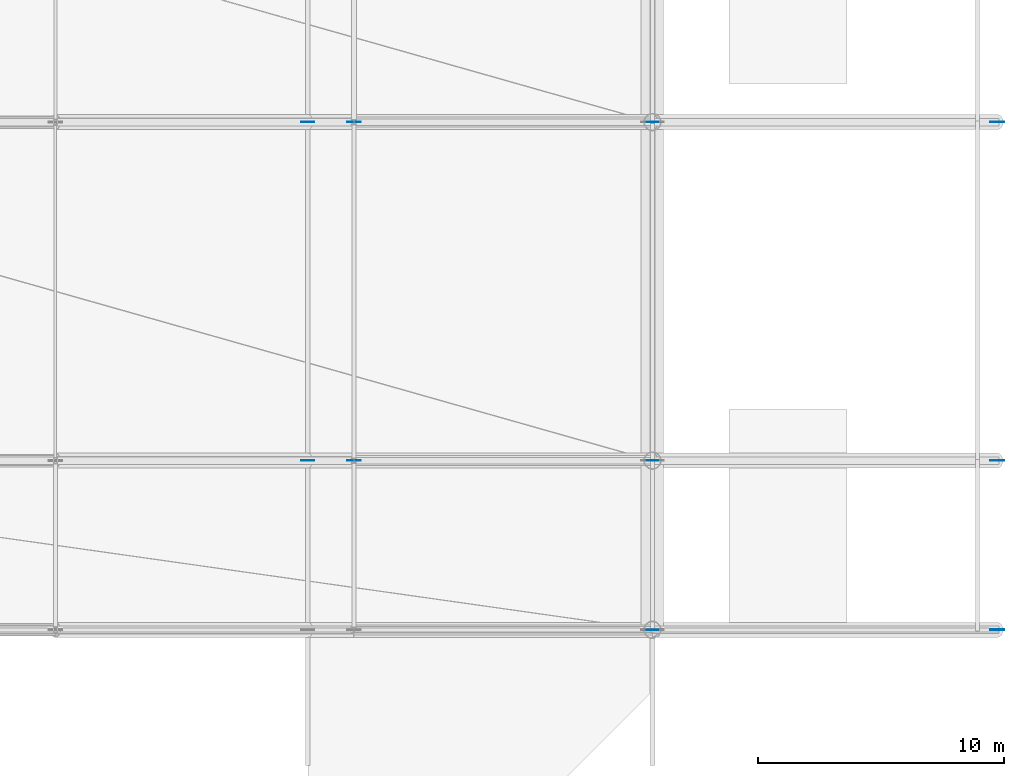
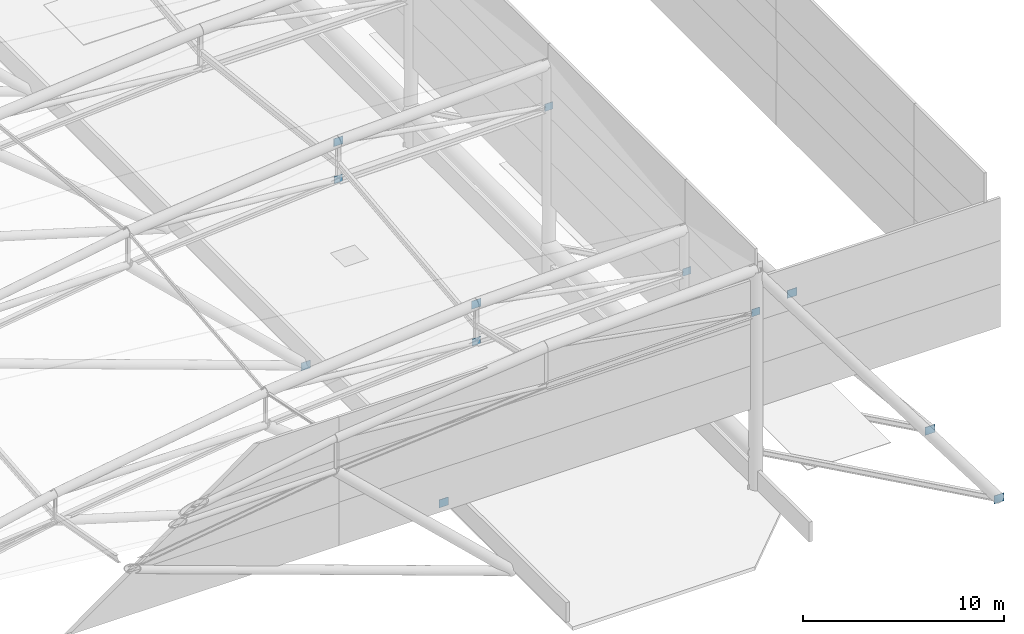
# One storey, part 87 of 113: 12 plates.
"""IFC4 building model written with IfcOpenShell, lengths in metres."""

from ifc_helpers import new_model, si_unit, direction, frame, origin, origin_2d, place, context, subcontext, project, spatial, rectangle, extrude, material, layer, layer_set, type_object, element, save


model = new_model("IFC4")

# Units and contexts
model_context = context("Model", 3, precision=1e-05, world=origin(), true_north=direction((0.0, 1.0)))
body_context = subcontext(model_context, "Body", "Model", "MODEL_VIEW")
ifc_project = project(units=[si_unit("LENGTHUNIT", "METRE"), si_unit("AREAUNIT", "SQUARE_METRE"), si_unit("VOLUMEUNIT", "CUBIC_METRE"), si_unit("PLANEANGLEUNIT", "RADIAN"), si_unit("MASSUNIT", "GRAM", prefix="KILO")], contexts=[model_context])

# Site, building, storey
site_placement = place(None, origin())
site = spatial("IfcSite", under=ifc_project, at=site_placement, CompositionType="ELEMENT")
building_placement = place(site_placement, origin())
building = spatial("IfcBuilding", under=site, at=building_placement, Name="Linyun Crest Stadium", CompositionType="ELEMENT")
storey_placement = place(building_placement, frame((0.0, 0.0, 26.39990234375)))
storey = spatial("IfcBuildingStorey", under=building, at=storey_placement, Name="L06", CompositionType="ELEMENT", Elevation=26.39990234375)

# Plates
ifc_material_1 = material(Name="Steel Q355C", Category="steel")
ifc_layer_1 = layer(ifc_material_1, 0.02392578125)
ifc_layer_set_1 = layer_set([ifc_layer_1], Name="Steel Q355C")
plate_type_1 = type_object("IfcPlateType", Name="NP01", PredefinedType="USERDEFINED", material=ifc_layer_set_1)
for number, where, z_axis, x_axis, name in (
    (1, (84.0, -46.0, 10.43017578125), (0.0, 0.0, 1.0), (1.0, 0.0, 0.0), "Roof bottom-chord node gusset plate NP01 112"),
    (2, (84.0, -39.125, 8.730224609375), (0.0, 0.0, 1.0), (1.0, 0.0, 0.0), "Roof bottom-chord node gusset plate NP01 125"),
    (3, (71.875, -39.125, 8.717041015625), (0.0, 0.0, 1.0), (1.0, 0.0, 0.0), "Roof bottom-chord node gusset plate NP01 126"),
    (4, (84.0, -25.375, 10.43017578125), (0.0, 0.0, 1.0), (1.0, 0.0, 0.0), "Roof bottom-chord node gusset plate NP01 138"),
    (5, (71.875, -25.375, 10.26806640625), (0.0, 0.0, 1.0), (1.0, 0.0, 0.0), "Roof bottom-chord node gusset plate NP01 139"),
):
    element("IfcPlate", number, at=place(storey_placement, frame(where, z_axis=z_axis, x_axis=x_axis)), inside=storey, type_object=plate_type_1, Name=name, ObjectType="GUSSET PLATE", PredefinedType="USERDEFINED", context=body_context, shape_type="SweptSolid", body=[
        extrude(rectangle(XDim=0.47998046875, YDim=0.02392578125, at=origin_2d()), origin(), (0.0, 0.0, 1.0), 0.43994140625),
    ])
ifc_material_2 = material(Name="Steel Q420C", Category="steel")
ifc_layer_2 = layer(ifc_material_2, 0.028076171875)
ifc_layer_set_2 = layer_set([ifc_layer_2], Name="Steel Q420C")
plate_type_2 = type_object("IfcPlateType", Name="NP02", PredefinedType="USERDEFINED", material=ifc_layer_set_2)
for number, where, z_axis, x_axis, name in (
    (6, (71.875, -39.125, 10.985107421875), (0.0, 0.0, 1.0), (1.0, 0.0, 0.0), "Roof truss node gusset plate NP02 120"),
    (7, (70.0, -39.125, -0.454833984375), (0.0, 0.0, 1.0), (1.0, 0.0, 0.0), "Roof V-strut base gusset plate NP02 130"),
    (8, (71.875, -25.375, 12.5361328125), (0.0, 0.0, 1.0), (1.0, 0.0, 0.0), "Roof truss node gusset plate NP02 133"),
    (9, (70.0, -25.375, -0.454833984375), (0.0, 0.0, 1.0), (1.0, 0.0, 0.0), "Roof V-strut base gusset plate NP02 143"),
):
    element("IfcPlate", number, at=place(storey_placement, frame(where, z_axis=z_axis, x_axis=x_axis)), inside=storey, type_object=plate_type_2, Name=name, ObjectType="GUSSET PLATE", PredefinedType="USERDEFINED", context=body_context, shape_type="SweptSolid", body=[
        extrude(rectangle(XDim=0.5400390625, YDim=0.028076171875, at=origin_2d()), origin(), (0.0, 0.0, 1.0), 0.47998046875),
    ])
ifc_material_3 = material(Name="Steel Q420C", Category="steel")
ifc_layer_3 = layer(ifc_material_3, 0.031982421875)
ifc_layer_set_3 = layer_set([ifc_layer_3], Name="Steel Q420C")
plate_type_3 = type_object("IfcPlateType", Name="NP03", PredefinedType="USERDEFINED", material=ifc_layer_set_3)
for number, where, z_axis, x_axis, name in (
    (10, (98.0, -46.0, -5.83984375), (0.0, 0.0, 1.0), (1.0, 0.0, 0.0), "Roof back-stay anchor gusset plate NP03 111"),
    (11, (98.0, -39.125, -5.83984375), (0.0, 0.0, 1.0), (1.0, 0.0, 0.0), "Roof back-stay anchor gusset plate NP03 124"),
    (12, (98.0, -25.375, -5.83984375), (0.0, 0.0, 1.0), (1.0, 0.0, 0.0), "Roof back-stay anchor gusset plate NP03 137"),
):
    element("IfcPlate", number, at=place(storey_placement, frame(where, z_axis=z_axis, x_axis=x_axis)), inside=storey, type_object=plate_type_3, Name=name, ObjectType="GUSSET PLATE", PredefinedType="USERDEFINED", context=body_context, shape_type="SweptSolid", body=[
        extrude(rectangle(XDim=0.56005859375, YDim=0.031982421875, at=origin_2d()), origin(), (0.0, 0.0, 1.0), 0.47998046875),
    ])

save(model, "model.ifc")
